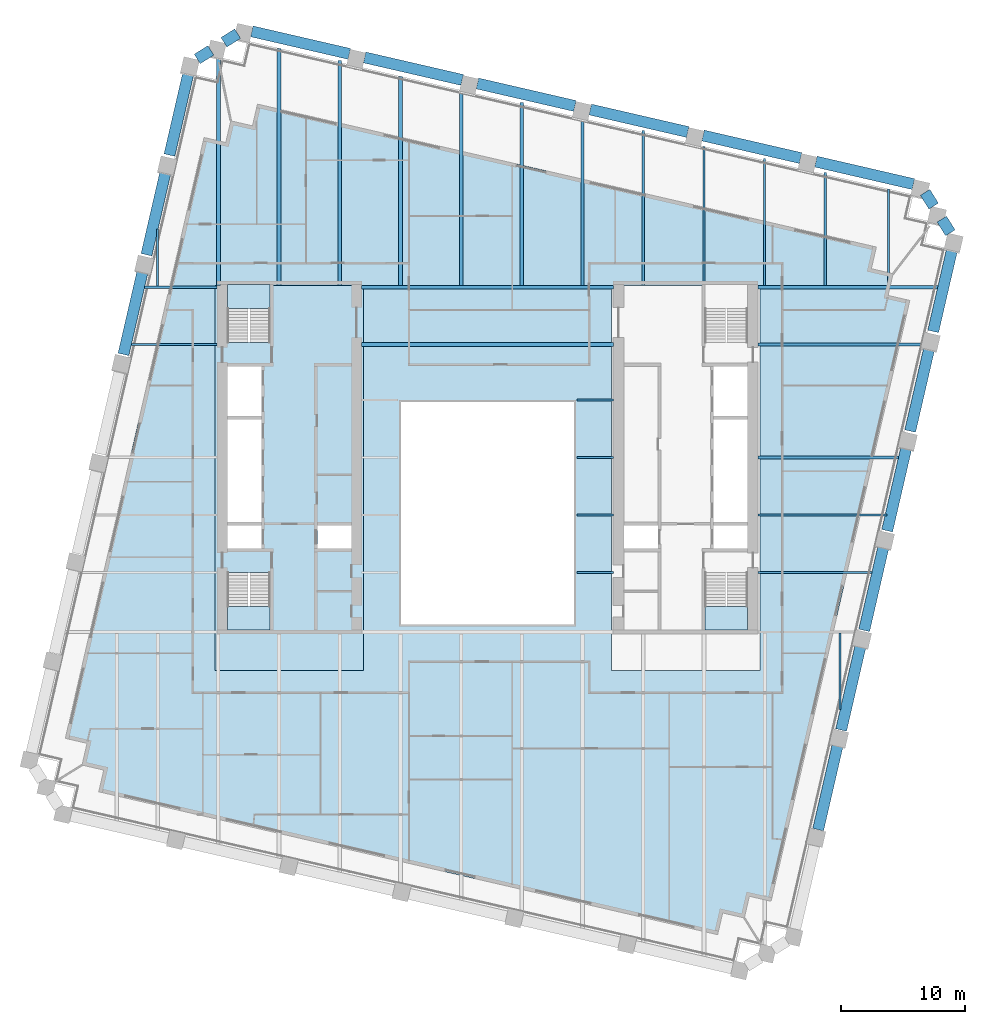
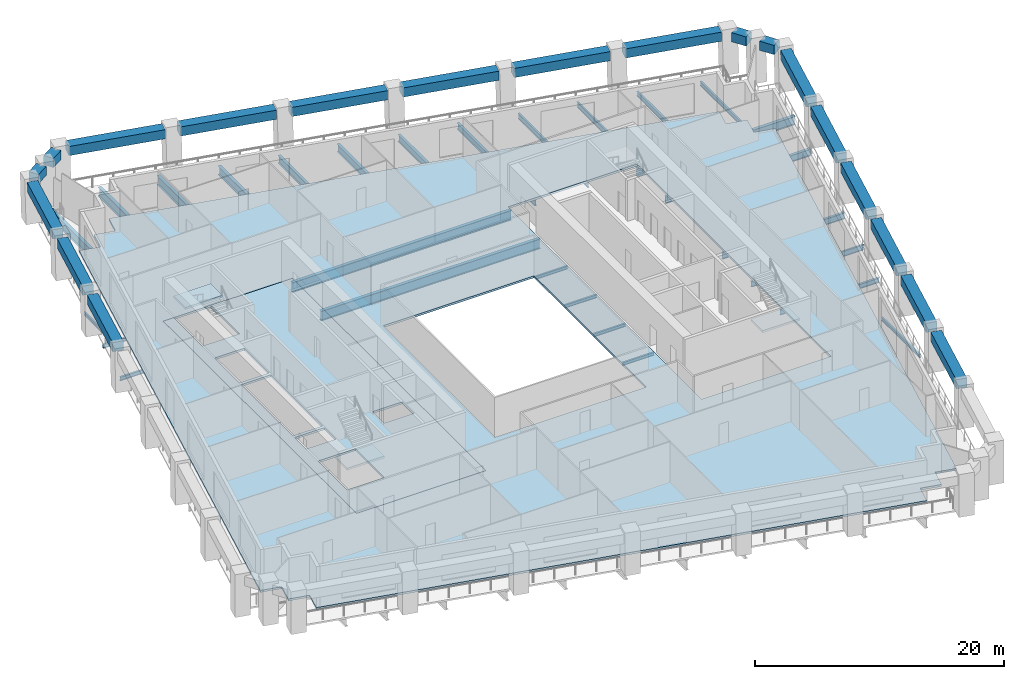
# One storey, part 2 of 12: 46 beams, 5 slabs, 3 elements without a shape of their own.
"""IFC4 building model written with IfcOpenShell, lengths in metres."""

from ifc_helpers import new_model, si_unit, direction, frame, origin, origin_2d, place, context, subcontext, project, spatial, polyline, rectangle, i_section, outline, extrude, material, layer, layer_set, material_profile, profile_set, type_object, element, aggregate, save


model = new_model("IFC4")

# Units and contexts
model_context = context("Model", 3, precision=1e-05, world=origin(), true_north=direction((0.0, 1.0)))
body_context = subcontext(model_context, "Body", "Model", "MODEL_VIEW")
ifc_project = project(units=[si_unit("LENGTHUNIT", "METRE"), si_unit("AREAUNIT", "SQUARE_METRE"), si_unit("VOLUMEUNIT", "CUBIC_METRE"), si_unit("PLANEANGLEUNIT", "RADIAN"), si_unit("MASSUNIT", "GRAM", prefix="KILO")], contexts=[model_context])

# Site, building, storey
site_placement = place(None, origin())
site = spatial("IfcSite", under=ifc_project, at=site_placement, CompositionType="ELEMENT")
building_placement = place(site_placement, origin())
building = spatial("IfcBuilding", under=site, at=building_placement, Name="Ogive Exchange Tower", CompositionType="ELEMENT")
storey_placement = place(building_placement, frame((0.0, 0.0, 130.800048828125)))
storey = spatial("IfcBuildingStorey", under=building, at=storey_placement, Name="L28", CompositionType="ELEMENT", Elevation=130.800048828125)

# Beams
ifc_material_1 = material(Name="Steel ASTM A992 Gr50", Category="steel")
ifc_material_profile_1 = material_profile(ifc_material_1, i_section(OverallWidth=0.300048828125, OverallDepth=0.969970703125, WebThickness=0.01611328125, FlangeThickness=0.02099609375, at=origin_2d()), Name="W1000x222")
ifc_profile_set_1 = profile_set([ifc_material_profile_1], Name="Steel ASTM A992 Gr50")
beam_type_1 = type_object("IfcBeamType", Name="Floor beam W1000x222", PredefinedType="JOIST", material=ifc_profile_set_1)
beam_1_placement = place(storey_placement, frame((-10.169921875, 20.62255859375, -0.68505859375), z_axis=(1.0, 0.0, 0.0), x_axis=(0.0, 1.0, 0.0)))
element("IfcBeam", 1, at=beam_1_placement, inside=storey, type_object=beam_type_1, Name="Floor beam", PredefinedType="JOIST", context=body_context, shape_type="SweptSolid", body=[
    extrude(i_section(OverallWidth=0.300048828125, OverallDepth=0.969970703125, WebThickness=0.01611328125, FlangeThickness=0.02099609375, at=origin_2d()), origin(), (0.0, 0.0, 1.0), 20.33984375),
])
ifc_material_profile_2 = material_profile(ifc_material_1, i_section(OverallWidth=0.1650390625, OverallDepth=0.31005859375, WebThickness=0.005859375, FlangeThickness=0.009765625, at=origin_2d()), Name="W310x38.7")
ifc_profile_set_2 = profile_set([ifc_material_profile_2], Name="Steel ASTM A992 Gr50")
beam_type_2 = type_object("IfcBeamType", Name="Floor beam W310x38.7", PredefinedType="JOIST", material=ifc_profile_set_2)
for number, where, z_axis, x_axis, name in (
    (2, (7.219970703125, 2.208740234375, -0.35498046875), (1.0, 0.0, 0.0), (0.0, 1.0, 0.0), "Floor beam"),
    (3, (7.219970703125, 6.857421875, -0.35498046875), (1.0, 0.0, 0.0), (0.0, 1.0, 0.0), "Floor beam"),
    (4, (7.219970703125, 11.50634765625, -0.35498046875), (1.0, 0.0, 0.0), (0.0, 1.0, 0.0), "Floor beam"),
):
    element("IfcBeam", number, at=place(storey_placement, frame(where, z_axis=z_axis, x_axis=x_axis)), inside=storey, type_object=beam_type_2, Name=name, PredefinedType="JOIST", context=body_context, shape_type="SweptSolid", body=[
        extrude(i_section(OverallWidth=0.1650390625, OverallDepth=0.31005859375, WebThickness=0.005859375, FlangeThickness=0.009765625, at=origin_2d()), origin(), (0.0, 0.0, 1.0), 2.949951171875),
    ])
beam_2_placement = place(storey_placement, frame((28.475830078125, -8.8544921875, -0.35498046875), z_axis=(0.0, 1.0, 0.0), x_axis=(-1.0, 0.0, 0.0)))
element("IfcBeam", 5, at=beam_2_placement, inside=storey, type_object=beam_type_2, Name="Floor beam", PredefinedType="JOIST", context=body_context, shape_type="SweptSolid", body=[
    extrude(i_section(OverallWidth=0.1650390625, OverallDepth=0.31005859375, WebThickness=0.005859375, FlangeThickness=0.009765625, at=origin_2d()), origin(), (0.0, 0.0, 1.0), 6.1640625),
])
beam_3_placement = place(storey_placement, frame((-26.6376953125, 25.33056640625, -0.35498046875), z_axis=(0.0, 1.0, 0.0), x_axis=(-1.0, 0.0, 0.0)))
element("IfcBeam", 6, at=beam_3_placement, inside=storey, type_object=beam_type_2, Name="Floor beam", PredefinedType="JOIST", context=body_context, shape_type="SweptSolid", body=[
    extrude(i_section(OverallWidth=0.1650390625, OverallDepth=0.31005859375, WebThickness=0.005859375, FlangeThickness=0.009765625, at=origin_2d()), origin(), (0.0, 0.0, 1.0), 4.63525390625),
])
ifc_material_profile_3 = material_profile(ifc_material_1, i_section(OverallWidth=0.1708984375, OverallDepth=0.35595703125, WebThickness=0.00732421875, FlangeThickness=0.01171875, at=origin_2d()), Name="W360x51")
ifc_profile_set_3 = profile_set([ifc_material_profile_3], Name="Steel ASTM A992 Gr50")
beam_type_3 = type_object("IfcBeamType", Name="Floor beam W360x51", PredefinedType="JOIST", material=ifc_profile_set_3)
beam_4_placement = place(storey_placement, frame((-28.76025390625, 20.62255859375, -0.3779296875), z_axis=(1.0, 0.0, 0.0), x_axis=(0.0, 1.0, 0.0)))
element("IfcBeam", 7, at=beam_4_placement, inside=storey, type_object=beam_type_3, Name="Floor beam", PredefinedType="JOIST", context=body_context, shape_type="SweptSolid", body=[
    extrude(i_section(OverallWidth=0.1708984375, OverallDepth=0.35595703125, WebThickness=0.00732421875, FlangeThickness=0.01171875, at=origin_2d()), origin(), (0.0, 0.0, 1.0), 6.93017578125),
])
ifc_material_profile_4 = material_profile(ifc_material_1, i_section(OverallWidth=0.177978515625, OverallDepth=0.406005859375, WebThickness=0.0078125, FlangeThickness=0.0126953125, at=origin_2d()), Name="W410x60")
ifc_profile_set_4 = profile_set([ifc_material_profile_4], Name="Steel ASTM A992 Gr50")
beam_type_4 = type_object("IfcBeamType", Name="Floor beam W410x60", PredefinedType="JOIST", material=ifc_profile_set_4)
beam_5_placement = place(storey_placement, frame((32.377197265625, 25.39111328125, -0.403076171875), z_axis=(0.0, 1.0, 0.0), x_axis=(-1.0, 0.0, 0.0)))
element("IfcBeam", 8, at=beam_5_placement, inside=storey, type_object=beam_type_4, Name="Floor beam", PredefinedType="JOIST", context=body_context, shape_type="SweptSolid", body=[
    extrude(i_section(OverallWidth=0.177978515625, OverallDepth=0.406005859375, WebThickness=0.0078125, FlangeThickness=0.0126953125, at=origin_2d()), origin(), (0.0, 0.0, 1.0), 7.7958984375),
])
ifc_material_profile_5 = material_profile(ifc_material_1, i_section(OverallWidth=0.19091796875, OverallDepth=0.45703125, WebThickness=0.009033203125, FlangeThickness=0.014404296875, at=origin_2d()), Name="W460x74")
ifc_profile_set_5 = profile_set([ifc_material_profile_5], Name="Steel ASTM A992 Gr50")
beam_type_5 = type_object("IfcBeamType", Name="Floor beam W460x74", PredefinedType="JOIST", material=ifc_profile_set_5)
beam_6_placement = place(storey_placement, frame((21.830078125, 2.208740234375, -0.428466796875), z_axis=(1.0, 0.0, 0.0), x_axis=(0.0, 1.0, 0.0)))
element("IfcBeam", 9, at=beam_6_placement, inside=storey, type_object=beam_type_5, Name="Floor beam", PredefinedType="JOIST", context=body_context, shape_type="SweptSolid", body=[
    extrude(i_section(OverallWidth=0.19091796875, OverallDepth=0.45703125, WebThickness=0.009033203125, FlangeThickness=0.014404296875, at=origin_2d()), origin(), (0.0, 0.0, 1.0), 9.199951171875),
])
beam_7_placement = place(storey_placement, frame((27.27587890625, 25.39111328125, -0.428466796875), z_axis=(0.0, 1.0, 0.0), x_axis=(-1.0, 0.0, 0.0)))
element("IfcBeam", 10, at=beam_7_placement, inside=storey, type_object=beam_type_5, Name="Floor beam", PredefinedType="JOIST", context=body_context, shape_type="SweptSolid", body=[
    extrude(i_section(OverallWidth=0.19091796875, OverallDepth=0.45703125, WebThickness=0.009033203125, FlangeThickness=0.014404296875, at=origin_2d()), origin(), (0.0, 0.0, 1.0), 9.123779296875),
])
ifc_material_profile_6 = material_profile(ifc_material_1, i_section(OverallWidth=0.1669921875, OverallDepth=0.535888671875, WebThickness=0.01025390625, FlangeThickness=0.0166015625, at=origin_2d()), Name="W530x85")
ifc_profile_set_6 = profile_set([ifc_material_profile_6], Name="Steel ASTM A992 Gr50")
beam_type_6 = type_object("IfcBeamType", Name="Floor beam W530x85", PredefinedType="JOIST", material=ifc_profile_set_6)
beam_8_placement = place(storey_placement, frame((21.830078125, 6.857421875, -0.468017578125), z_axis=(1.0, 0.0, 0.0), x_axis=(0.0, 1.0, 0.0)))
element("IfcBeam", 11, at=beam_8_placement, inside=storey, type_object=beam_type_6, Name="Floor beam", PredefinedType="JOIST", context=body_context, shape_type="SweptSolid", body=[
    extrude(i_section(OverallWidth=0.1669921875, OverallDepth=0.535888671875, WebThickness=0.01025390625, FlangeThickness=0.0166015625, at=origin_2d()), origin(), (0.0, 0.0, 1.0), 10.423095703125),
])
beam_9_placement = place(storey_placement, frame((17.473388671875, 25.39990234375, -0.468017578125), z_axis=(0.0, 1.0, 0.0), x_axis=(-1.0, 0.0, 0.0)))
element("IfcBeam", 12, at=beam_9_placement, inside=storey, type_object=beam_type_6, Name="Floor beam", PredefinedType="JOIST", context=body_context, shape_type="SweptSolid", body=[
    extrude(i_section(OverallWidth=0.1669921875, OverallDepth=0.535888671875, WebThickness=0.01025390625, FlangeThickness=0.0166015625, at=origin_2d()), origin(), (0.0, 0.0, 1.0), 11.22802734375),
])
beam_10_placement = place(storey_placement, frame((22.37451171875, 25.39111328125, -0.468017578125), z_axis=(0.0, 1.0, 0.0), x_axis=(-1.0, 0.0, 0.0)))
element("IfcBeam", 13, at=beam_10_placement, inside=storey, type_object=beam_type_6, Name="Floor beam", PredefinedType="JOIST", context=body_context, shape_type="SweptSolid", body=[
    extrude(i_section(OverallWidth=0.1669921875, OverallDepth=0.535888671875, WebThickness=0.01025390625, FlangeThickness=0.0166015625, at=origin_2d()), origin(), (0.0, 0.0, 1.0), 10.255126953125),
])
ifc_material_profile_7 = material_profile(ifc_material_1, i_section(OverallWidth=0.22802734375, OverallDepth=0.60205078125, WebThickness=0.010498046875, FlangeThickness=0.014892578125, at=origin_2d()), Name="W610x101")
ifc_profile_set_7 = profile_set([ifc_material_profile_7], Name="Steel ASTM A992 Gr50")
beam_type_7 = type_object("IfcBeamType", Name="Floor beam W610x101", PredefinedType="JOIST", material=ifc_profile_set_7)
beam_11_placement = place(storey_placement, frame((21.830078125, 11.50634765625, -0.5009765625), z_axis=(1.0, 0.0, 0.0), x_axis=(0.0, 1.0, 0.0)))
element("IfcBeam", 14, at=beam_11_placement, inside=storey, type_object=beam_type_7, Name="Floor beam", PredefinedType="JOIST", context=body_context, shape_type="SweptSolid", body=[
    extrude(i_section(OverallWidth=0.22802734375, OverallDepth=0.60205078125, WebThickness=0.010498046875, FlangeThickness=0.014892578125, at=origin_2d()), origin(), (0.0, 0.0, 1.0), 11.346435546875),
])
beam_12_placement = place(storey_placement, frame((12.572021484375, 25.39990234375, -0.5009765625), z_axis=(0.0, 1.0, 0.0), x_axis=(-1.0, 0.0, 0.0)))
element("IfcBeam", 15, at=beam_12_placement, inside=storey, type_object=beam_type_7, Name="Floor beam", PredefinedType="JOIST", context=body_context, shape_type="SweptSolid", body=[
    extrude(i_section(OverallWidth=0.22802734375, OverallDepth=0.60205078125, WebThickness=0.010498046875, FlangeThickness=0.014892578125, at=origin_2d()), origin(), (0.0, 0.0, 1.0), 12.509521484375),
])
ifc_material_profile_8 = material_profile(ifc_material_1, i_section(OverallWidth=0.25390625, OverallDepth=0.677978515625, WebThickness=0.01171875, FlangeThickness=0.016357421875, at=origin_2d()), Name="W690x125")
ifc_profile_set_8 = profile_set([ifc_material_profile_8], Name="Steel ASTM A992 Gr50")
beam_type_8 = type_object("IfcBeamType", Name="Floor beam W690x125", PredefinedType="JOIST", material=ifc_profile_set_8)
beam_13_placement = place(storey_placement, frame((21.830078125, 20.62255859375, -0.5390625), z_axis=(1.0, 0.0, 0.0), x_axis=(0.0, 1.0, 0.0)))
element("IfcBeam", 16, at=beam_13_placement, inside=storey, type_object=beam_type_8, Name="Floor beam", PredefinedType="JOIST", context=body_context, shape_type="SweptSolid", body=[
    extrude(i_section(OverallWidth=0.25390625, OverallDepth=0.677978515625, WebThickness=0.01171875, FlangeThickness=0.016357421875, at=origin_2d()), origin(), (0.0, 0.0, 1.0), 13.450927734375),
])
beam_14_placement = place(storey_placement, frame((7.6708984375, 25.39501953125, -0.5390625), z_axis=(0.0, 1.0, 0.0), x_axis=(-1.0, 0.0, 0.0)))
element("IfcBeam", 17, at=beam_14_placement, inside=storey, type_object=beam_type_8, Name="Floor beam", PredefinedType="JOIST", context=body_context, shape_type="SweptSolid", body=[
    extrude(i_section(OverallWidth=0.25390625, OverallDepth=0.677978515625, WebThickness=0.01171875, FlangeThickness=0.016357421875, at=origin_2d()), origin(), (0.0, 0.0, 1.0), 13.49609375),
])
ifc_material_profile_9 = material_profile(ifc_material_1, i_section(OverallWidth=0.26708984375, OverallDepth=0.75390625, WebThickness=0.01318359375, FlangeThickness=0.01708984375, at=origin_2d()), Name="W760x147")
ifc_profile_set_9 = profile_set([ifc_material_profile_9], Name="Steel ASTM A992 Gr50")
beam_type_9 = type_object("IfcBeamType", Name="Floor beam W760x147", PredefinedType="JOIST", material=ifc_profile_set_9)
beam_15_placement = place(storey_placement, frame((-2.131591796875, 25.39501953125, -0.5771484375), z_axis=(0.0, 1.0, 0.0), x_axis=(-1.0, 0.0, 0.0)))
element("IfcBeam", 18, at=beam_15_placement, inside=storey, type_object=beam_type_9, Name="Floor beam", PredefinedType="JOIST", context=body_context, shape_type="SweptSolid", body=[
    extrude(i_section(OverallWidth=0.26708984375, OverallDepth=0.75390625, WebThickness=0.01318359375, FlangeThickness=0.01708984375, at=origin_2d()), origin(), (0.0, 0.0, 1.0), 15.759033203125),
])
beam_16_placement = place(storey_placement, frame((2.76953125, 25.39501953125, -0.5771484375), z_axis=(0.0, 1.0, 0.0), x_axis=(-1.0, 0.0, 0.0)))
element("IfcBeam", 19, at=beam_16_placement, inside=storey, type_object=beam_type_9, Name="Floor beam", PredefinedType="JOIST", context=body_context, shape_type="SweptSolid", body=[
    extrude(i_section(OverallWidth=0.26708984375, OverallDepth=0.75390625, WebThickness=0.01318359375, FlangeThickness=0.01708984375, at=origin_2d()), origin(), (0.0, 0.0, 1.0), 14.777587890625),
])
ifc_material_profile_10 = material_profile(ifc_material_1, i_section(OverallWidth=0.2919921875, OverallDepth=0.8359375, WebThickness=0.013916015625, FlangeThickness=0.018798828125, at=origin_2d()), Name="W840x176")
ifc_profile_set_10 = profile_set([ifc_material_profile_10], Name="Steel ASTM A992 Gr50")
beam_type_10 = type_object("IfcBeamType", Name="Floor beam W840x176", PredefinedType="JOIST", material=ifc_profile_set_10)
beam_17_placement = place(storey_placement, frame((-7.03271484375, 25.39501953125, -0.6181640625), z_axis=(0.0, 1.0, 0.0), x_axis=(-1.0, 0.0, 0.0)))
element("IfcBeam", 20, at=beam_17_placement, inside=storey, type_object=beam_type_10, Name="Floor beam", PredefinedType="JOIST", context=body_context, shape_type="SweptSolid", body=[
    extrude(i_section(OverallWidth=0.2919921875, OverallDepth=0.8359375, WebThickness=0.013916015625, FlangeThickness=0.018798828125, at=origin_2d()), origin(), (0.0, 0.0, 1.0), 16.890625),
])
ifc_material_profile_11 = material_profile(ifc_material_1, i_section(OverallWidth=0.304931640625, OverallDepth=0.904052734375, WebThickness=0.01513671875, FlangeThickness=0.02001953125, at=origin_2d()), Name="W920x201")
ifc_profile_set_11 = profile_set([ifc_material_profile_11], Name="Steel ASTM A992 Gr50")
beam_type_11 = type_object("IfcBeamType", Name="Floor beam W920x201", PredefinedType="JOIST", material=ifc_profile_set_11)
beam_18_placement = place(storey_placement, frame((-21.736572265625, 25.39990234375, -0.652099609375), z_axis=(0.0, 1.0, 0.0), x_axis=(-1.0, 0.0, 0.0)))
element("IfcBeam", 21, at=beam_18_placement, inside=storey, type_object=beam_type_11, Name="Floor beam", PredefinedType="JOIST", context=body_context, shape_type="SweptSolid", body=[
    extrude(i_section(OverallWidth=0.304931640625, OverallDepth=0.904052734375, WebThickness=0.01513671875, FlangeThickness=0.02001953125, at=origin_2d()), origin(), (0.0, 0.0, 1.0), 18.377685546875),
])
beam_19_placement = place(storey_placement, frame((-11.93408203125, 25.39990234375, -0.652099609375), z_axis=(0.0, 1.0, 0.0), x_axis=(-1.0, 0.0, 0.0)))
element("IfcBeam", 22, at=beam_19_placement, inside=storey, type_object=beam_type_11, Name="Floor beam", PredefinedType="JOIST", context=body_context, shape_type="SweptSolid", body=[
    extrude(i_section(OverallWidth=0.304931640625, OverallDepth=0.904052734375, WebThickness=0.01513671875, FlangeThickness=0.02001953125, at=origin_2d()), origin(), (0.0, 0.0, 1.0), 18.167236328125),
])
ifc_material_profile_12 = material_profile(ifc_material_1, i_section(OverallWidth=0.304931640625, OverallDepth=0.9189453125, WebThickness=0.017333984375, FlangeThickness=0.02783203125, at=origin_2d()), Name="W920x253")
ifc_profile_set_12 = profile_set([ifc_material_profile_12], Name="Steel ASTM A992 Gr50")
beam_type_12 = type_object("IfcBeamType", Name="Floor beam W920x253", PredefinedType="JOIST", material=ifc_profile_set_12)
beam_20_placement = place(storey_placement, frame((-16.835205078125, 25.39990234375, -0.65966796875), z_axis=(0.0, 1.0, 0.0), x_axis=(-1.0, 0.0, 0.0)))
element("IfcBeam", 23, at=beam_20_placement, inside=storey, type_object=beam_type_12, Name="Floor beam", PredefinedType="JOIST", context=body_context, shape_type="SweptSolid", body=[
    extrude(i_section(OverallWidth=0.304931640625, OverallDepth=0.9189453125, WebThickness=0.017333984375, FlangeThickness=0.02783203125, at=origin_2d()), origin(), (0.0, 0.0, 1.0), 19.148681640625),
])
ifc_material_profile_13 = material_profile(ifc_material_1, i_section(OverallWidth=0.300048828125, OverallDepth=0.97998046875, WebThickness=0.0166015625, FlangeThickness=0.026123046875, at=origin_2d()), Name="W1000x249")
ifc_profile_set_13 = profile_set([ifc_material_profile_13], Name="Steel ASTM A992 Gr50")
beam_type_13 = type_object("IfcBeamType", Name="Girder W1000x249", PredefinedType="BEAM", material=ifc_profile_set_13)
beam_21_placement = place(storey_placement, frame((-10.169921875, 25.2451171875, -0.68994140625), z_axis=(1.0, 0.0, 0.0), x_axis=(0.0, 1.0, 0.0)))
element("IfcBeam", 24, at=beam_21_placement, inside=storey, type_object=beam_type_13, Name="Header girder", PredefinedType="BEAM", context=body_context, shape_type="SweptSolid", body=[
    extrude(i_section(OverallWidth=0.300048828125, OverallDepth=0.97998046875, WebThickness=0.0166015625, FlangeThickness=0.026123046875, at=origin_2d()), origin(), (0.0, 0.0, 1.0), 20.33984375),
])
ifc_material_profile_14 = material_profile(ifc_material_1, i_section(OverallWidth=0.1650390625, OverallDepth=0.31005859375, WebThickness=0.005859375, FlangeThickness=0.009765625, at=origin_2d()), Name="W310x38.7")
ifc_profile_set_14 = profile_set([ifc_material_profile_14], Name="Steel ASTM A992 Gr50")
beam_type_14 = type_object("IfcBeamType", Name="Girder W310x38.7", PredefinedType="BEAM", material=ifc_profile_set_14)
beam_22_placement = place(storey_placement, frame((7.219970703125, 16.155029296875, -0.35498046875), z_axis=(1.0, 0.0, 0.0), x_axis=(0.0, 1.0, 0.0)))
element("IfcBeam", 25, at=beam_22_placement, inside=storey, type_object=beam_type_14, Name="Trimmer girder", PredefinedType="BEAM", context=body_context, shape_type="SweptSolid", body=[
    extrude(i_section(OverallWidth=0.1650390625, OverallDepth=0.31005859375, WebThickness=0.005859375, FlangeThickness=0.009765625, at=origin_2d()), origin(), (0.0, 0.0, 1.0), 2.949951171875),
])
ifc_material_profile_15 = material_profile(ifc_material_1, i_section(OverallWidth=0.1708984375, OverallDepth=0.35595703125, WebThickness=0.00732421875, FlangeThickness=0.01171875, at=origin_2d()), Name="W360x51")
ifc_profile_set_15 = profile_set([ifc_material_profile_15], Name="Steel ASTM A992 Gr50")
beam_type_15 = type_object("IfcBeamType", Name="Girder W360x51", PredefinedType="BEAM", material=ifc_profile_set_15)
beam_23_placement = place(storey_placement, frame((-27.693115234375, 25.2451171875, -0.3779296875), z_axis=(1.0, 0.0, 0.0), x_axis=(0.0, 1.0, 0.0)))
element("IfcBeam", 26, at=beam_23_placement, inside=storey, type_object=beam_type_15, Name="Header girder", PredefinedType="BEAM", context=body_context, shape_type="SweptSolid", body=[
    extrude(i_section(OverallWidth=0.1708984375, OverallDepth=0.35595703125, WebThickness=0.00732421875, FlangeThickness=0.01171875, at=origin_2d()), origin(), (0.0, 0.0, 1.0), 5.863037109375),
])
ifc_material_profile_16 = material_profile(ifc_material_1, i_section(OverallWidth=0.2919921875, OverallDepth=0.8359375, WebThickness=0.013916015625, FlangeThickness=0.018798828125, at=origin_2d()), Name="W840x176")
ifc_profile_set_16 = profile_set([ifc_material_profile_16], Name="Steel ASTM A992 Gr50")
beam_type_16 = type_object("IfcBeamType", Name="Girder W840x176", PredefinedType="BEAM", material=ifc_profile_set_16)
beam_24_placement = place(storey_placement, frame((21.830078125, 25.2451171875, -0.6181640625), z_axis=(1.0, 0.0, 0.0), x_axis=(0.0, 1.0, 0.0)))
element("IfcBeam", 27, at=beam_24_placement, inside=storey, type_object=beam_type_16, Name="Header girder", PredefinedType="BEAM", context=body_context, shape_type="SweptSolid", body=[
    extrude(i_section(OverallWidth=0.2919921875, OverallDepth=0.8359375, WebThickness=0.013916015625, FlangeThickness=0.018798828125, at=origin_2d()), origin(), (0.0, 0.0, 1.0), 14.668212890625),
])
ifc_material_2 = material(Name="Precast concrete C70/85 (limestone faced)", Category="masonry")
ifc_material_profile_17 = material_profile(ifc_material_2, rectangle(XDim=0.89990234375, YDim=0.89990234375, at=origin_2d()), Name="900 x 900")
ifc_profile_set_17 = profile_set([ifc_material_profile_17], Name="Precast concrete C70/85 (limestone faced)")
beam_type_17 = type_object("IfcBeamType", Name="Precast spandrel 900 x 900 C70/85", PredefinedType="SPANDREL", material=ifc_profile_set_17)
for number, where, z_axis, x_axis, name in (
    (28, (26.697509765625, -18.55810546875, 3.5), (0.224933378566, 0.974374145391, 0.0), (-0.974374145391, 0.224933378566, 0.0), "Spandrel 10"),
    (29, (28.555419921875, -10.510009765625, 3.5), (0.224933378566, 0.974374145391, 0.0), (-0.974374145391, 0.224933378566, 0.0), "Spandrel 11"),
    (30, (30.41357421875, -2.4619140625, 3.5), (0.224933378566, 0.974374145391, 0.0), (-0.974374145391, 0.224933378566, 0.0), "Spandrel 12"),
):
    element("IfcBeam", number, at=place(storey_placement, frame(where, z_axis=z_axis, x_axis=x_axis)), inside=storey, type_object=beam_type_17, Name=name, PredefinedType="SPANDREL", context=body_context, shape_type="SweptSolid", body=[
        extrude(rectangle(XDim=0.89990234375, YDim=0.89990234375, at=origin_2d()), origin(), (0.0, 0.0, 1.0), 6.999755859375),
    ])
beam_25_placement = place(storey_placement, frame((32.271484375, 5.5859375, 3.5), z_axis=(0.224958847169, 0.974368265637, 0.0), x_axis=(-0.974368265637, 0.224958847169, 0.0)))
element("IfcBeam", 31, at=beam_25_placement, inside=storey, type_object=beam_type_17, Name="Spandrel 13", PredefinedType="SPANDREL", context=body_context, shape_type="SweptSolid", body=[
    extrude(rectangle(XDim=0.89990234375, YDim=0.89990234375, at=origin_2d()), origin(), (0.0, 0.0, 1.0), 7.0),
])
for number, where, z_axis, x_axis, name in (
    (32, (34.129638671875, 13.634033203125, 3.5), (0.224933378566, 0.974374145391, 0.0), (-0.974374145391, 0.224933378566, 0.0), "Spandrel 14"),
    (33, (35.987548828125, 21.68212890625, 3.5), (0.224966492282, 0.974366500527, 0.0), (-0.974366500527, 0.224966492282, 0.0), "Spandrel 15"),
):
    element("IfcBeam", number, at=place(storey_placement, frame(where, z_axis=z_axis, x_axis=x_axis)), inside=storey, type_object=beam_type_17, Name=name, PredefinedType="SPANDREL", context=body_context, shape_type="SweptSolid", body=[
        extrude(rectangle(XDim=0.89990234375, YDim=0.89990234375, at=origin_2d()), origin(), (0.0, 0.0, 1.0), 6.999755859375),
    ])
for number, where, z_axis, x_axis, name in (
    (34, (37.375732421875, 29.641357421875, 3.5), (-0.529847842077, 0.848092721491, 0.0), (-0.848092721491, -0.529847842077, 0.0), "Spandrel 16"),
    (35, (36.02685546875, 31.80029296875, 3.5), (-0.530066093226, 0.847956329543, 0.0), (-0.847956329543, -0.530066093226, 0.0), "Spandrel 17"),
):
    element("IfcBeam", number, at=place(storey_placement, frame(where, z_axis=z_axis, x_axis=x_axis)), inside=storey, type_object=beam_type_17, Name=name, PredefinedType="SPANDREL", context=body_context, shape_type="SweptSolid", body=[
        extrude(rectangle(XDim=0.89990234375, YDim=0.89990234375, at=origin_2d()), origin(), (0.0, 0.0, 1.0), 1.30712890625),
    ])
for number, where, z_axis, x_axis, name in (
    (36, (34.39208984375, 33.57568359375, 3.5), (-0.974370337884, 0.224949871421, 0.0), (-0.224949871421, -0.974370337884, 0.0), "Spandrel 18"),
    (37, (25.28173828125, 35.678955078125, 3.5), (-0.974370337884, 0.224949871421, 0.0), (-0.224949871421, -0.974370337884, 0.0), "Spandrel 19"),
    (38, (16.17138671875, 37.7822265625, 3.5), (-0.974370337884, 0.224949871421, 0.0), (-0.224949871421, -0.974370337884, 0.0), "Spandrel 20"),
    (39, (7.06103515625, 39.885498046875, 3.5), (-0.974370337884, 0.224949871421, 0.0), (-0.224949871421, -0.974370337884, 0.0), "Spandrel 21"),
    (40, (-2.04931640625, 41.98876953125, 3.5), (-0.974370337884, 0.224949871421, 0.0), (-0.224949871421, -0.974370337884, 0.0), "Spandrel 22"),
    (41, (-11.15966796875, 44.092041015625, 3.5), (-0.974370337884, 0.224949871421, 0.0), (-0.224949871421, -0.974370337884, 0.0), "Spandrel 23"),
):
    element("IfcBeam", number, at=place(storey_placement, frame(where, z_axis=z_axis, x_axis=x_axis)), inside=storey, type_object=beam_type_17, Name=name, PredefinedType="SPANDREL", context=body_context, shape_type="SweptSolid", body=[
        extrude(rectangle(XDim=0.89990234375, YDim=0.89990234375, at=origin_2d()), origin(), (0.0, 0.0, 1.0), 8.08984375),
    ])
for number, where, z_axis, x_axis, name in (
    (42, (-20.181396484375, 45.7255859375, 3.5), (-0.847956329543, -0.530066093226, 0.0), (0.530066093226, -0.847956329543, 0.0), "Spandrel 24"),
    (43, (-22.340087890625, 44.37646484375, 3.5), (-0.848040277303, -0.529931776808, 0.0), (0.529931776808, -0.848040277303, 0.0), "Spandrel 25"),
):
    element("IfcBeam", number, at=place(storey_placement, frame(where, z_axis=z_axis, x_axis=x_axis)), inside=storey, type_object=beam_type_17, Name=name, PredefinedType="SPANDREL", context=body_context, shape_type="SweptSolid", body=[
        extrude(rectangle(XDim=0.89990234375, YDim=0.89990234375, at=origin_2d()), origin(), (0.0, 0.0, 1.0), 1.30712890625),
    ])
beam_26_placement = place(storey_placement, frame((-24.115478515625, 42.741943359375, 3.5), z_axis=(-0.224925734458, -0.974375909995, 0.0), x_axis=(0.974375909995, -0.224925734458, 0.0)))
element("IfcBeam", 44, at=beam_26_placement, inside=storey, type_object=beam_type_17, Name="Spandrel 26", PredefinedType="SPANDREL", context=body_context, shape_type="SweptSolid", body=[
    extrude(rectangle(XDim=0.89990234375, YDim=0.89990234375, at=origin_2d()), origin(), (0.0, 0.0, 1.0), 7.0),
])
for number, where, z_axis, x_axis, name in (
    (45, (-25.973388671875, 34.69384765625, 3.5), (-0.224966492282, -0.974366500527, 0.0), (0.974366500527, -0.224966492282, 0.0), "Spandrel 27"),
    (46, (-27.83154296875, 26.645751953125, 3.5), (-0.224933378566, -0.974374145391, 0.0), (0.974374145391, -0.224933378566, 0.0), "Spandrel 28"),
):
    element("IfcBeam", number, at=place(storey_placement, frame(where, z_axis=z_axis, x_axis=x_axis)), inside=storey, type_object=beam_type_17, Name=name, PredefinedType="SPANDREL", context=body_context, shape_type="SweptSolid", body=[
        extrude(rectangle(XDim=0.89990234375, YDim=0.89990234375, at=origin_2d()), origin(), (0.0, 0.0, 1.0), 6.999755859375),
    ])

# Slabs
ifc_material_3 = material(Name="Concrete C50/60", Category="concrete")
ifc_layer_1 = layer(ifc_material_3, 0.199951171875)
ifc_layer_set_1 = layer_set([ifc_layer_1], Name="Composite floor slab 200")
slab_type_1 = type_object("IfcSlabType", Name="Composite floor slab 200", PredefinedType="FLOOR", material=ifc_layer_set_1)
slab_1_placement = place(storey_placement, frame((0.0, 0.0, -0.199951171875)))
element("IfcSlab", 47, at=slab_1_placement, inside=storey, type_object=slab_type_1, Name="Composite floor slab", PredefinedType="FLOOR", context=body_context, shape_type="SweptSolid", body=[
    extrude(outline(polyline([(-30.998779296875, -13.74560546875), (-32.752685546875, -13.3408203125), (-32.34765625, -11.5869140625), (-34.1015625, -11.181884765625), (-22.89892578125, 37.341552734375), (-21.145263671875, 36.936767578125), (-20.740234375, 38.690673828125), (-18.986328125, 38.28564453125), (-18.58154296875, 40.03955078125), (31.40380859375, 28.49951171875), (30.998779296875, 26.74560546875), (32.752685546875, 26.3408203125), (32.34765625, 24.5869140625), (34.1015625, 24.181884765625), (22.89892578125, -24.341552734375), (21.145263671875, -23.936767578125), (20.740234375, -25.690673828125), (18.986328125, -25.28564453125), (18.58154296875, -27.03955078125), (-31.40380859375, -15.49951171875), (-30.998779296875, -13.74560546875)]), holes=[polyline([(7.0, -2.0), (7.0, 16.0), (-7.0, 16.0), (-7.0, -2.0), (7.0, -2.0)]), polyline([(-22.0, -5.699951171875), (-10.0, -5.699951171875), (-10.0, 25.39990234375), (-22.0, 25.39990234375), (-22.0, -5.699951171875)]), polyline([(10.0, -5.699951171875), (22.0, -5.699951171875), (22.0, 25.39990234375), (10.0, 25.39990234375), (10.0, -5.699951171875)])]), origin(), (0.0, 0.0, 1.0), 0.199951171875),
])
ifc_material_4 = material(Name="Concrete C70/85", Category="concrete")
ifc_layer_2 = layer(ifc_material_4, 0.199951171875)
ifc_layer_set_2 = layer_set([ifc_layer_2], Name="Core floor slab 200")
slab_type_2 = type_object("IfcSlabType", Name="Core floor slab 200", PredefinedType="FLOOR", material=ifc_layer_set_2)
slab_2_placement = place(storey_placement, frame((0.0, 0.0, -0.199951171875)))
element("IfcSlab", 48, at=slab_2_placement, inside=storey, type_object=slab_type_2, Name="Core floor slab", PredefinedType="FLOOR", context=body_context, shape_type="SweptSolid", body=[
    extrude(outline(polyline([(-10.0, 25.39990234375), (-10.0, -5.699951171875), (-22.0, -5.699951171875), (-22.0, 25.39990234375), (-21.0, 25.39990234375), (-21.0, 20.803955078125), (-17.550048828125, 20.803955078125), (-17.550048828125, 25.39990234375), (-10.0, 25.39990234375)]), holes=[polyline([(-17.550048828125, 2.196044921875), (-21.0, 2.196044921875), (-21.0, -2.449951171875), (-17.550048828125, -2.449951171875), (-17.550048828125, 2.196044921875)]), polyline([(-18.25, 5.992919921875), (-21.0, 5.992919921875), (-21.0, 4.14990234375), (-18.25, 4.14990234375), (-18.25, 5.992919921875)]), polyline([(-11.0, 5.992919921875), (-13.75, 5.992919921875), (-13.75, 4.14990234375), (-11.0, 4.14990234375), (-11.0, 5.992919921875)]), polyline([(-21.0, 14.564208984375), (-21.0, 6.29296875), (-18.25, 6.29296875), (-18.25, 14.564208984375), (-21.0, 14.564208984375)]), polyline([(-18.25, 18.85009765625), (-21.0, 18.85009765625), (-21.0, 14.8642578125), (-18.25, 14.8642578125), (-18.25, 18.85009765625)])]), origin(), (0.0, 0.0, 1.0), 0.199951171875),
])

# Stair, slab
ifc_material_5 = material(Name="Concrete C40/50", Category="concrete")
stair_type = type_object("IfcStairType", Name="Exit stair 1650 wide", PredefinedType="HALF_TURN_STAIR", material=ifc_material_5)
stair_1_placement = place(storey_placement, origin())
stair_1 = element("IfcStair", 49, at=stair_1_placement, inside=storey, type_object=stair_type, Name="L28 exit stair ST1", PredefinedType="HALF_TURN_STAIR")
ifc_layer_3 = layer(ifc_material_5, 0.199951171875)
ifc_layer_set_3 = layer_set([ifc_layer_3], Name="Stair landing 200 slab")
slab_type_3 = type_object("IfcSlabType", Name="Stair landing 200 slab", PredefinedType="LANDING", material=ifc_layer_set_3)
slab_3_placement = place(storey_placement, frame((0.0, 0.0, 1.89990234375)))
slab_3 = element("IfcSlab", 50, at=slab_3_placement, type_object=slab_type_3, Name="ST1 landing 1", PredefinedType="LANDING", context=body_context, shape_type="SweptSolid", body=[
    extrude(outline(polyline([(-21.0, -0.550048828125), (-21.0, -2.449951171875), (-17.550048828125, -2.449951171875), (-17.550048828125, -0.550048828125), (-21.0, -0.550048828125)])), origin(), (0.0, 0.0, 1.0), 0.199951171875),
])
aggregate(stair_1, [slab_3])

stair_2_placement = place(storey_placement, origin())
stair_2 = element("IfcStair", 51, at=stair_2_placement, inside=storey, type_object=stair_type, Name="L28 exit stair ST2", PredefinedType="HALF_TURN_STAIR")
slab_4_placement = place(storey_placement, frame((0.0, 0.0, 1.89990234375)))
slab_4 = element("IfcSlab", 52, at=slab_4_placement, type_object=slab_type_3, Name="ST2 landing 1", PredefinedType="LANDING", context=body_context, shape_type="SweptSolid", body=[
    extrude(outline(polyline([(-17.550048828125, 23.550048828125), (-17.550048828125, 25.449951171875), (-21.0, 25.449951171875), (-21.0, 23.550048828125), (-17.550048828125, 23.550048828125)])), origin(), (0.0, 0.0, 1.0), 0.199951171875),
])
aggregate(stair_2, [slab_4])

stair_3_placement = place(storey_placement, origin())
stair_3 = element("IfcStair", 53, at=stair_3_placement, inside=storey, type_object=stair_type, Name="L28 exit stair ST3", PredefinedType="HALF_TURN_STAIR")
slab_5_placement = place(storey_placement, frame((0.0, 0.0, 1.89990234375)))
slab_5 = element("IfcSlab", 54, at=slab_5_placement, type_object=slab_type_3, Name="ST3 landing 1", PredefinedType="LANDING", context=body_context, shape_type="SweptSolid", body=[
    extrude(outline(polyline([(17.550048828125, -0.550048828125), (17.550048828125, -2.449951171875), (21.0, -2.449951171875), (21.0, -0.550048828125), (17.550048828125, -0.550048828125)])), origin(), (0.0, 0.0, 1.0), 0.199951171875),
])
aggregate(stair_3, [slab_5])

save(model, "model.ifc")
